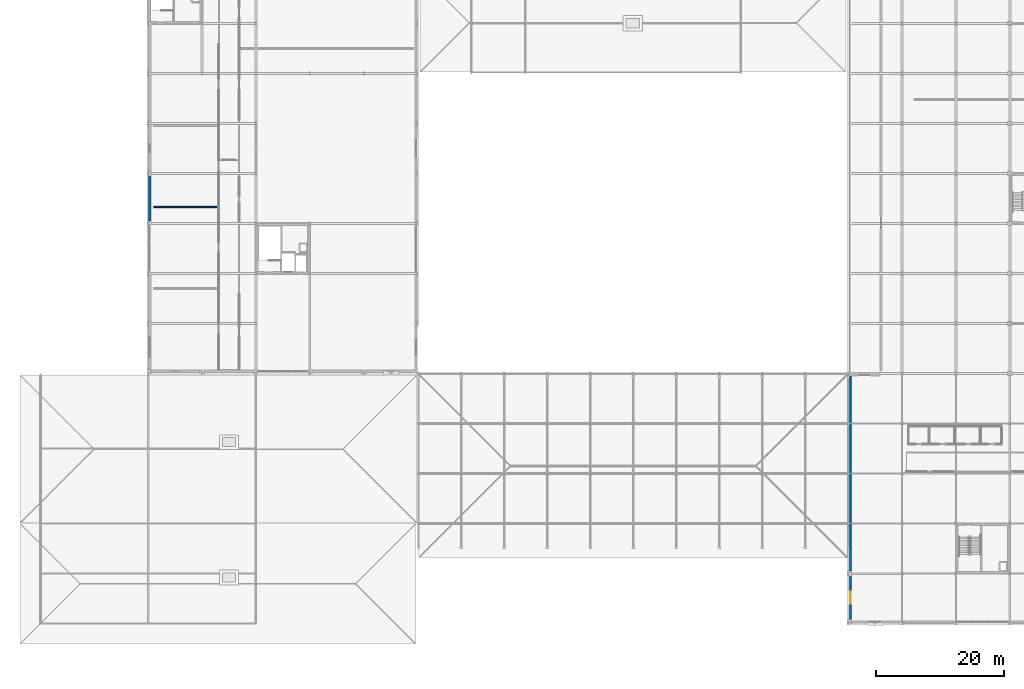
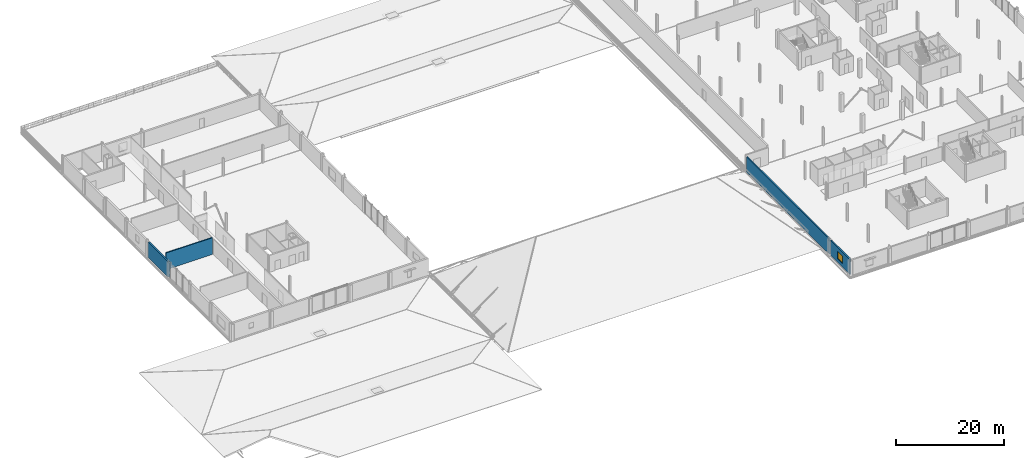
# One storey, part 56 of 77: 4 walls, 1 window, 1 opening.
"""IFC4 building model written with IfcOpenShell, lengths in metres."""

from ifc_helpers import new_model, si_unit, direction, frame, frame_2d, origin, place, context, subcontext, project, spatial, rectangle, extrude, material, layer, layer_set, type_object, element, fill, save


model = new_model("IFC4")

# Units and contexts
model_context = context("Model", 3, precision=1e-05, world=origin(), true_north=direction((0.0, 1.0)))
body_context = subcontext(model_context, "Body", "Model", "MODEL_VIEW")
ifc_project = project(units=[si_unit("LENGTHUNIT", "METRE"), si_unit("AREAUNIT", "SQUARE_METRE"), si_unit("VOLUMEUNIT", "CUBIC_METRE"), si_unit("PLANEANGLEUNIT", "RADIAN"), si_unit("MASSUNIT", "GRAM", prefix="KILO")], contexts=[model_context])

# Site, building, storey
site_placement = place(None, origin())
site = spatial("IfcSite", under=ifc_project, at=site_placement, CompositionType="ELEMENT")
building_placement = place(site_placement, origin())
building = spatial("IfcBuilding", under=site, at=building_placement, Name="Nabrawat Pavilion Hospital", CompositionType="ELEMENT")
storey_placement = place(building_placement, frame((0.0, 0.0, 14.85009765625)))
storey = spatial("IfcBuildingStorey", under=building, at=storey_placement, Name="L03", CompositionType="ELEMENT", Elevation=14.85009765625)

# Wall, opening, window
ifc_material_1 = material(Name="Precast concrete C40/50", Category="concrete")
ifc_layer_1 = layer(ifc_material_1, 0.280029296875, Name="Precast concrete C40/50")
ifc_layer_set_1 = layer_set([ifc_layer_1], Name="Precast concrete C40/50")
wall_type_1 = type_object("IfcWallType", Name="Insulated Precast Facade Wall 280", PredefinedType="SOLIDWALL", material=ifc_layer_set_1)
wall_1_placement = place(storey_placement, frame((126.340087890625, 0.43994140625, 0.0), z_axis=(0.0, 0.0, 1.0), x_axis=(0.0, 1.0, 0.0)))
wall_1 = element("IfcWall", 1, at=wall_1_placement, inside=storey, type_object=wall_type_1, Name="L03 Insulated Precast Facade Wall 280 319", PredefinedType="SOLIDWALL", context=body_context, shape_type="SweptSolid", body=[
    extrude(rectangle(XDim=7.14013671875, YDim=0.280029296875, at=frame_2d((3.570068359375, 0.0))), origin(), (0.0, 0.0, 1.0), 3.419921875),
])
opening_placement = place(wall_1_placement, frame((2.6201171875, 0.0, 0.85009765625)))
opening = element("IfcOpeningElement", 2, at=opening_placement, cuts=wall_1, Name="Opening WN-23", PredefinedType="OPENING", context=body_context, shape_type="SweptSolid", body=[
    extrude(rectangle(XDim=1.89990234375, YDim=1.64990234375, at=frame_2d((0.949951171875, 0.824951171875))), frame((0.0, 0.14990234375, 0.0), z_axis=(0.0, -1.0, 0.0), x_axis=(1.0, 0.0, 0.0)), (0.0, 0.0, 1.0), 0.300048828125),
])
ifc_material_2 = material(Name="Thermally Broken Aluminium and Solar Glass", Category="aluminium")
window_type = type_object("IfcWindowType", Name="Dialysis Bay Garden Window 1900x1650", PartitioningType="SINGLE_PANEL", PredefinedType="WINDOW", material=ifc_material_2)
window_placement = place(opening_placement, origin())
window = element("IfcWindow", 3, at=window_placement, inside=storey, type_object=window_type, Name="L03 Dialysis Bay Garden Window 1900x1650 119", OverallHeight=1.64990234375, OverallWidth=1.89990234375, PartitioningType="SINGLE_PANEL", PredefinedType="WINDOW", context=body_context, shape_type="SweptSolid", body=[
    extrude(rectangle(XDim=1.89990234375, YDim=1.64990234375, at=frame_2d((0.949951171875, 0.824951171875))), frame((0.0, 0.030029296875, 0.0), z_axis=(0.0, -1.0, 0.0), x_axis=(1.0, 0.0, 0.0)), (0.0, 0.0, 1.0), 0.06005859375),
])
fill(opening, window)

# Walls
wall_2_placement = place(storey_placement, frame((126.340087890625, 8.02001953125, 0.0), z_axis=(0.0, 0.0, 1.0), x_axis=(0.0, 1.0, 0.0)))
element("IfcWall", 4, at=wall_2_placement, inside=storey, type_object=wall_type_1, Name="L03 Insulated Precast Facade Wall 280 320", PredefinedType="SOLIDWALL", context=body_context, shape_type="SweptSolid", body=[
    extrude(rectangle(XDim=30.5400390625, YDim=0.280029296875, at=frame_2d((15.27001953125, 0.0))), origin(), (0.0, 0.0, 1.0), 3.419921875),
])
ifc_layer_2 = layer(ifc_material_1, 0.360107421875, Name="Precast concrete C40/50")
ifc_layer_set_2 = layer_set([ifc_layer_2], Name="Precast concrete C40/50")
wall_type_2 = type_object("IfcWallType", Name="Surgical Acoustic Precast Facade Wall 360", PredefinedType="SOLIDWALL", material=ifc_layer_set_2)
wall_3_placement = place(storey_placement, frame((17.02001953125, 62.625, 0.0), z_axis=(0.0, 0.0, 1.0), x_axis=(0.0, 1.0, 0.0)))
element("IfcWall", 5, at=wall_3_placement, inside=storey, type_object=wall_type_2, Name="L03 Surgical Acoustic Precast Facade Wall 360 302", PredefinedType="SOLIDWALL", context=body_context, shape_type="SweptSolid", body=[
    extrude(rectangle(XDim=7.35009765625, YDim=0.360107421875, at=frame_2d((3.675048828125, 0.0))), origin(), (0.0, 0.0, 1.0), 3.43994140625),
])
ifc_material_3 = material(Name="Hygienic Gypsum and Lead Core", Category="gypsum")
ifc_layer_3 = layer(ifc_material_3, 0.219970703125, Name="Hygienic Gypsum and Lead Core")
ifc_layer_set_3 = layer_set([ifc_layer_3], Name="Hygienic Gypsum and Lead Core")
wall_type_3 = type_object("IfcWallType", Name="Surgical Hygienic Lead-Shielded Wall 220", PredefinedType="PARTITIONING", material=ifc_layer_set_3)
wall_4_placement = place(storey_placement, frame((17.68994140625, 64.985107421875, 0.0), z_axis=(0.0, 0.0, 1.0), x_axis=(1.0, 0.0, 0.0)))
element("IfcWall", 6, at=wall_4_placement, inside=storey, type_object=wall_type_3, Name="L03 Operating Theatre 14 Spine Navigation L03-02 Dividing Partition", PredefinedType="PARTITIONING", context=body_context, shape_type="SweptSolid", body=[
    extrude(rectangle(XDim=9.900146484375, YDim=0.219970703125, at=frame_2d((4.9501953125, 0.0))), origin(), (0.0, 0.0, 1.0), 3.77001953125),
])

save(model, "model.ifc")
